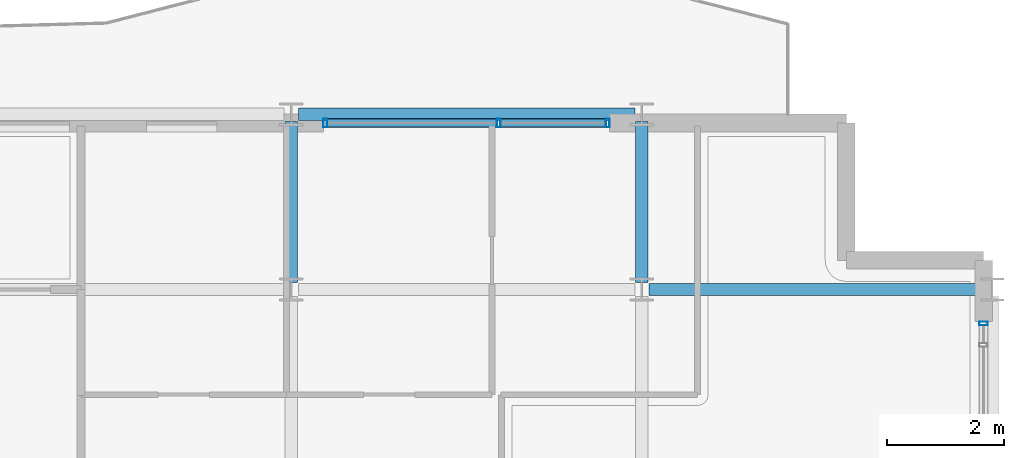
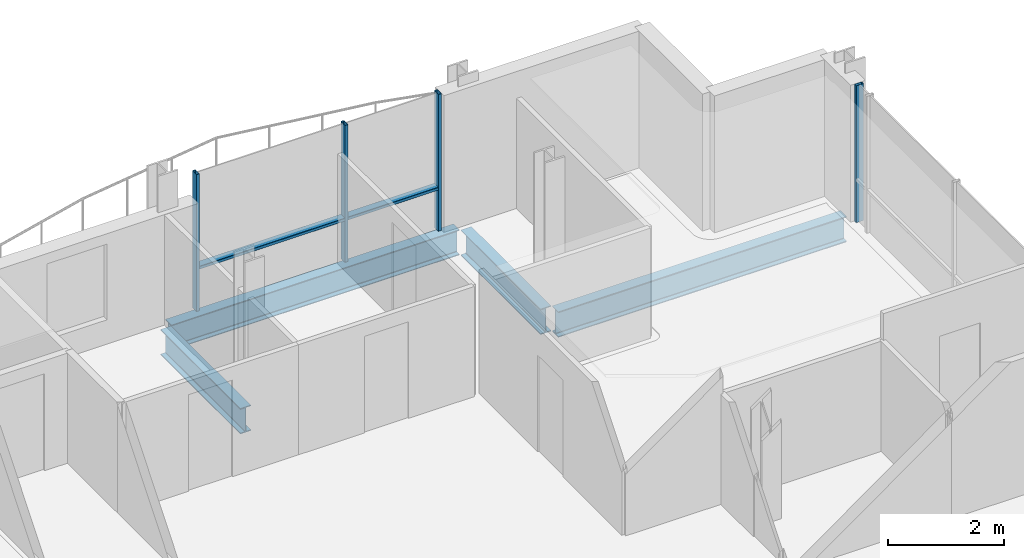
# One storey, part 23 of 35: 6 members, 4 beams, 2 elements without a shape of their own.
"""IFC4 building model written with IfcOpenShell, lengths in metres."""

from ifc_helpers import new_model, si_unit, direction, frame, origin, origin_2d, place, context, subcontext, project, spatial, hollow_rectangle, i_section, extrude, material, layer, layer_set, material_profile, profile_set, type_object, element, aggregate, save


model = new_model("IFC4")

# Units and contexts
model_context = context("Model", 3, precision=1e-05, world=origin(), true_north=direction((0.0, 1.0)))
body_context = subcontext(model_context, "Body", "Model", "MODEL_VIEW")
ifc_project = project(units=[si_unit("LENGTHUNIT", "METRE"), si_unit("AREAUNIT", "SQUARE_METRE"), si_unit("VOLUMEUNIT", "CUBIC_METRE"), si_unit("PLANEANGLEUNIT", "RADIAN"), si_unit("MASSUNIT", "GRAM", prefix="KILO")], contexts=[model_context])

# Site, building, storey
site_placement = place(None, origin())
site = spatial("IfcSite", under=ifc_project, at=site_placement, CompositionType="ELEMENT")
building_placement = place(site_placement, origin())
building = spatial("IfcBuilding", under=site, at=building_placement, Name="Brevholm Reach", CompositionType="ELEMENT")
storey_placement = place(building_placement, frame((0.0, 0.0, 183.199951171875)))
storey = spatial("IfcBuildingStorey", under=building, at=storey_placement, Name="L55", CompositionType="ELEMENT", Elevation=183.199951171875)

# Beams
ifc_material_1 = material(Name="Structural Steel S355J2", Category="steel")
ifc_material_profile_1 = material_profile(ifc_material_1, i_section(OverallWidth=0.209228515625, OverallDepth=0.533203125, WebThickness=0.010009765625, FlangeThickness=0.015625, FilletRadius=0.0126953125, at=origin_2d()), Name="UKB 533x210x92")
ifc_profile_set_1 = profile_set([ifc_material_profile_1], Name="Structural Steel S355J2")
beam_type_1 = type_object("IfcBeamType", Name="BM-SP533", PredefinedType="SPANDREL", material=ifc_profile_set_1)
beam_1_placement = place(storey_placement, frame((48.1201171875, 26.5, -0.4765625), z_axis=(1.0, 0.0, 0.0), x_axis=(0.0, 1.0, 0.0)))
element("IfcBeam", 1, at=beam_1_placement, inside=storey, type_object=beam_type_1, Name="L55 SP-02 Framing Beam", PredefinedType="SPANDREL", context=body_context, shape_type="SweptSolid", body=[
    extrude(i_section(OverallWidth=0.209228515625, OverallDepth=0.533203125, WebThickness=0.010009765625, FlangeThickness=0.015625, FilletRadius=0.0126953125, at=origin_2d()), origin(), (0.0, 0.0, 1.0), 5.759765625),
])
ifc_material_2 = material(Name="Structural Steel S355J2", Category="steel")
ifc_material_profile_2 = material_profile(ifc_material_2, i_section(OverallWidth=0.210693359375, OverallDepth=0.53955078125, WebThickness=0.01171875, FlangeThickness=0.018798828125, FilletRadius=0.0126953125, at=origin_2d()), Name="UKB 533x210x109")
ifc_profile_set_2 = profile_set([ifc_material_profile_2], Name="Structural Steel S355J2")
beam_type_2 = type_object("IfcBeamType", Name="BM-SP539", PredefinedType="SPANDREL", material=ifc_profile_set_2)
beam_2_placement = place(storey_placement, frame((54.1201171875, 23.5, -0.479736328125), z_axis=(1.0, 0.0, 0.0), x_axis=(0.0, 1.0, 0.0)))
element("IfcBeam", 2, at=beam_2_placement, inside=storey, type_object=beam_type_2, Name="L55 SP-01B Framing Beam", PredefinedType="SPANDREL", context=body_context, shape_type="SweptSolid", body=[
    extrude(i_section(OverallWidth=0.210693359375, OverallDepth=0.53955078125, WebThickness=0.01171875, FlangeThickness=0.018798828125, FilletRadius=0.0126953125, at=origin_2d()), origin(), (0.0, 0.0, 1.0), 5.759765625),
])
for number, where, z_axis, x_axis, name in (
    (3, (48.0, 23.6201171875, -0.479736328125), (0.0, 1.0, 0.0), (-1.0, 0.0, 0.0), "L55 SP-01B Framing Beam"),
    (4, (54.0, 23.6201171875, -0.479736328125), (0.0, 1.0, 0.0), (-1.0, 0.0, 0.0), "L55 SP-01B Framing Beam"),
):
    element("IfcBeam", number, at=place(storey_placement, frame(where, z_axis=z_axis, x_axis=x_axis)), inside=storey, type_object=beam_type_2, Name=name, PredefinedType="SPANDREL", context=body_context, shape_type="SweptSolid", body=[
        extrude(i_section(OverallWidth=0.210693359375, OverallDepth=0.53955078125, WebThickness=0.01171875, FlangeThickness=0.018798828125, FilletRadius=0.0126953125, at=origin_2d()), origin(), (0.0, 0.0, 1.0), 2.759765625),
    ])

# Curtain wall, member
ifc_material_3 = material(Name="Dark Anodised Aluminium 6063-T6 and Solar-Control Glass", Category="aluminium")
ifc_layer = layer(ifc_material_3, 0.14990234375)
ifc_layer_set = layer_set([ifc_layer], Name="Dark Anodised Aluminium 6063-T6 and Solar-Control Glass")
curtain_wall_type = type_object("IfcCurtainWallType", Name="CW-01", PredefinedType="NOTDEFINED", material=ifc_layer_set)
curtain_wall_1_placement = place(storey_placement, origin())
curtain_wall_1 = element("IfcCurtainWall", 5, at=curtain_wall_1_placement, inside=storey, type_object=curtain_wall_type, Name="L55 Curtain Wall CW-01", PredefinedType="NOTDEFINED")
ifc_material_4 = material(Name="Dark Anodised Aluminium 6063-T6", Category="aluminium")
ifc_material_profile_3 = material_profile(ifc_material_4, hollow_rectangle(XDim=0.06494140625, YDim=0.14990234375, WallThickness=0.0048828125, InnerFilletRadius=0.0048828125, OuterFilletRadius=0.010009765625, at=origin_2d()), Name="RHS 150x65x5")
ifc_profile_set_3 = profile_set([ifc_material_profile_3], Name="Dark Anodised Aluminium 6063-T6")
member_type_1 = type_object("IfcMemberType", Name="CWM-150", PredefinedType="MULLION", material=ifc_profile_set_3)
member_1_placement = place(storey_placement, frame((59.85009765625, 22.91748046875, 0.0), z_axis=(0.0, 0.0, 1.0), x_axis=(0.0, 1.0, 0.0)))
member_1 = element("IfcMember", 6, at=member_1_placement, type_object=member_type_1, Name="CM-150 Mullion 6", PredefinedType="MULLION", context=body_context, shape_type="SweptSolid", body=[
    extrude(hollow_rectangle(XDim=0.06494140625, YDim=0.14990234375, WallThickness=0.0048828125, InnerFilletRadius=0.0048828125, OuterFilletRadius=0.010009765625, at=origin_2d()), origin(), (0.0, 0.0, 1.0), 2.89013671875),
])
aggregate(curtain_wall_1, [member_1])

# Curtain wall, members
curtain_wall_2_placement = place(storey_placement, origin())
curtain_wall_2 = element("IfcCurtainWall", 7, at=curtain_wall_2_placement, inside=storey, type_object=curtain_wall_type, Name="L55 Curtain Wall CW-01", PredefinedType="NOTDEFINED")
member_2_placement = place(storey_placement, frame((48.58251953125, 26.35009765625, 0.0), z_axis=(0.0, 0.0, 1.0), x_axis=(1.0, 0.0, 0.0)))
member_2 = element("IfcMember", 8, at=member_2_placement, type_object=member_type_1, Name="CM-150 Mullion 1", PredefinedType="MULLION", context=body_context, shape_type="SweptSolid", body=[
    extrude(hollow_rectangle(XDim=0.06494140625, YDim=0.14990234375, WallThickness=0.0048828125, InnerFilletRadius=0.0048828125, OuterFilletRadius=0.010009765625, at=origin_2d()), origin(), (0.0, 0.0, 1.0), 2.89013671875),
])
member_3_placement = place(storey_placement, frame((51.550048828125, 26.35009765625, 0.0), z_axis=(0.0, 0.0, 1.0), x_axis=(1.0, 0.0, 0.0)))
member_3 = element("IfcMember", 9, at=member_3_placement, type_object=member_type_1, Name="CM-150 Mullion 2", PredefinedType="MULLION", context=body_context, shape_type="SweptSolid", body=[
    extrude(hollow_rectangle(XDim=0.06494140625, YDim=0.14990234375, WallThickness=0.0048828125, InnerFilletRadius=0.0048828125, OuterFilletRadius=0.010009765625, at=origin_2d()), origin(), (0.0, 0.0, 1.0), 2.89013671875),
])
member_4_placement = place(storey_placement, frame((53.41748046875, 26.35009765625, 0.0), z_axis=(0.0, 0.0, 1.0), x_axis=(1.0, 0.0, 0.0)))
member_4 = element("IfcMember", 10, at=member_4_placement, type_object=member_type_1, Name="CM-150 Mullion 3", PredefinedType="MULLION", context=body_context, shape_type="SweptSolid", body=[
    extrude(hollow_rectangle(XDim=0.06494140625, YDim=0.14990234375, WallThickness=0.0048828125, InnerFilletRadius=0.0048828125, OuterFilletRadius=0.010009765625, at=origin_2d()), origin(), (0.0, 0.0, 1.0), 2.89013671875),
])
ifc_material_5 = material(Name="Dark Anodised Aluminium 6063-T6", Category="aluminium")
ifc_material_profile_4 = material_profile(ifc_material_5, hollow_rectangle(XDim=0.06494140625, YDim=0.14990234375, WallThickness=0.0048828125, InnerFilletRadius=0.0048828125, OuterFilletRadius=0.010009765625, at=origin_2d()), Name="RHS 150x65x5")
ifc_profile_set_4 = profile_set([ifc_material_profile_4], Name="Dark Anodised Aluminium 6063-T6")
member_type_2 = type_object("IfcMemberType", Name="CWT-150", PredefinedType="NOTDEFINED", material=ifc_profile_set_4)
member_5_placement = place(storey_placement, frame((48.614990234375, 26.35009765625, 0.900146484375), z_axis=(1.0, 0.0, 0.0), x_axis=(0.0, 0.0, 1.0)))
member_5 = element("IfcMember", 11, at=member_5_placement, type_object=member_type_2, Name="CT-150 Transom 1.1", ObjectType="TRANSOM", PredefinedType="USERDEFINED", context=body_context, shape_type="SweptSolid", body=[
    extrude(hollow_rectangle(XDim=0.06494140625, YDim=0.14990234375, WallThickness=0.0048828125, InnerFilletRadius=0.0048828125, OuterFilletRadius=0.010009765625, at=origin_2d()), origin(), (0.0, 0.0, 1.0), 2.902587890625),
])
member_6_placement = place(storey_placement, frame((51.58251953125, 26.35009765625, 0.900146484375), z_axis=(1.0, 0.0, 0.0), x_axis=(0.0, 0.0, 1.0)))
member_6 = element("IfcMember", 12, at=member_6_placement, type_object=member_type_2, Name="CT-150 Transom 2.1", ObjectType="TRANSOM", PredefinedType="USERDEFINED", context=body_context, shape_type="SweptSolid", body=[
    extrude(hollow_rectangle(XDim=0.06494140625, YDim=0.14990234375, WallThickness=0.0048828125, InnerFilletRadius=0.0048828125, OuterFilletRadius=0.010009765625, at=origin_2d()), origin(), (0.0, 0.0, 1.0), 1.802490234375),
])
aggregate(curtain_wall_2, [member_2, member_3, member_4, member_5, member_6])

save(model, "model.ifc")
